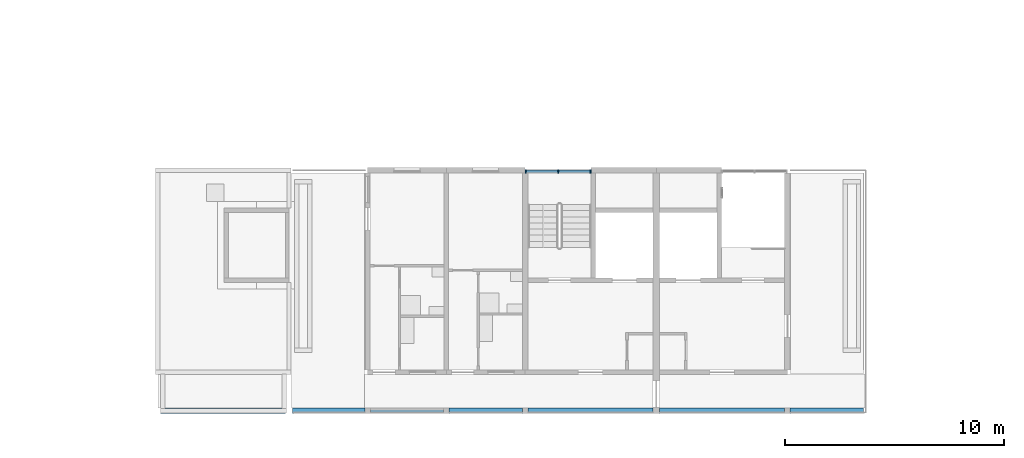
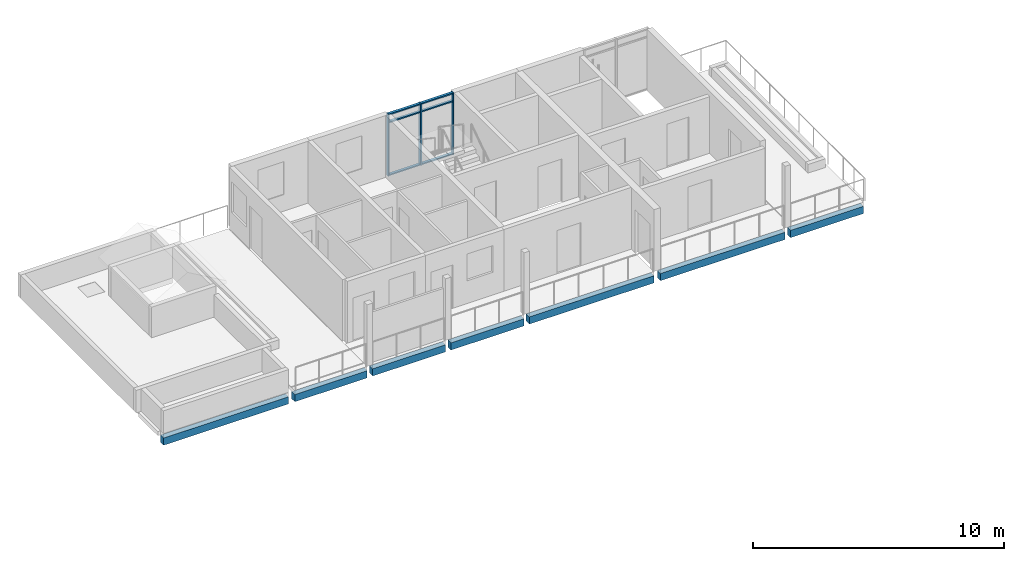
# One storey, part 5 of 41: 9 members, 7 beams, 1 element without a shape of its own.
"""IFC4 building model written with IfcOpenShell, lengths in metres."""

from ifc_helpers import new_model, si_unit, direction, frame, origin, origin_2d, place, context, subcontext, project, spatial, rectangle, extrude, material, material_profile, profile_set, type_object, element, aggregate, save


model = new_model("IFC4")

# Units and contexts
model_context = context("Model", 3, precision=1e-05, world=origin(), true_north=direction((0.0, 1.0)))
body_context = subcontext(model_context, "Body", "Model", "MODEL_VIEW")
ifc_project = project(units=[si_unit("LENGTHUNIT", "METRE"), si_unit("AREAUNIT", "SQUARE_METRE"), si_unit("VOLUMEUNIT", "CUBIC_METRE"), si_unit("PLANEANGLEUNIT", "RADIAN"), si_unit("MASSUNIT", "GRAM", prefix="KILO")], contexts=[model_context])

# Site, building, storey
site_placement = place(None, origin())
site = spatial("IfcSite", under=ifc_project, at=site_placement, CompositionType="ELEMENT")
building_placement = place(site_placement, origin())
building = spatial("IfcBuilding", under=site, at=building_placement, Name="Ridgestep Commons", CompositionType="ELEMENT")
storey_placement = place(building_placement, frame((0.0, 0.0, 39.0)))
storey = spatial("IfcBuildingStorey", under=building, at=storey_placement, Name="L13", CompositionType="ELEMENT", Elevation=39.0)

# Beams
ifc_material_1 = material(Name="Precast concrete C40/50", Category="concrete")
ifc_material_profile_1 = material_profile(ifc_material_1, rectangle(XDim=0.25, YDim=0.35009765625, at=origin_2d()), Name="PC 250x350")
ifc_profile_set_1 = profile_set([ifc_material_profile_1], Name="Precast concrete C40/50")
beam_type = type_object("IfcBeamType", Name="Loggia edge beam 250 x 350", PredefinedType="SPANDREL", material=ifc_profile_set_1)
beam_1_placement = place(storey_placement, frame((73.324951171875, 11.875, -0.375), z_axis=(1.0, 0.0, 0.0), x_axis=(0.0, 1.0, 0.0)))
element("IfcBeam", 1, at=beam_1_placement, inside=storey, type_object=beam_type, Name="Loggia edge beam A4C L13", PredefinedType="SPANDREL", context=body_context, shape_type="SweptSolid", body=[
    extrude(rectangle(XDim=0.25, YDim=0.35009765625, at=origin_2d()), origin(), (0.0, 0.0, 1.0), 5.72509765625),
])
beam_2_placement = place(storey_placement, frame((79.35009765625, 11.875, -0.375), z_axis=(1.0, 0.0, 0.0), x_axis=(0.0, 1.0, 0.0)))
element("IfcBeam", 2, at=beam_2_placement, inside=storey, type_object=beam_type, Name="Loggia edge beam A5T1 L13", PredefinedType="SPANDREL", context=body_context, shape_type="SweptSolid", body=[
    extrude(rectangle(XDim=0.25, YDim=0.35009765625, at=origin_2d()), origin(), (0.0, 0.0, 1.0), 3.324951171875),
])
beam_3_placement = place(storey_placement, frame((82.925048828125, 11.875, -0.375), z_axis=(1.0, 0.0, 0.0), x_axis=(0.0, 1.0, 0.0)))
element("IfcBeam", 3, at=beam_3_placement, inside=storey, type_object=beam_type, Name="Loggia edge beam A5T2 L13", PredefinedType="SPANDREL", context=body_context, shape_type="SweptSolid", body=[
    extrude(rectangle(XDim=0.25, YDim=0.35009765625, at=origin_2d()), origin(), (0.0, 0.0, 1.0), 3.349853515625),
])
beam_4_placement = place(storey_placement, frame((86.52490234375, 11.875, -0.375), z_axis=(1.0, 0.0, 0.0), x_axis=(0.0, 1.0, 0.0)))
element("IfcBeam", 4, at=beam_4_placement, inside=storey, type_object=beam_type, Name="Loggia edge beam A5T3 L13", PredefinedType="SPANDREL", context=body_context, shape_type="SweptSolid", body=[
    extrude(rectangle(XDim=0.25, YDim=0.35009765625, at=origin_2d()), origin(), (0.0, 0.0, 1.0), 3.35009765625),
])
for number, where, z_axis, x_axis, name in (
    (5, (90.125, 11.875, -0.375), (1.0, 0.0, 0.0), (0.0, 1.0, 0.0), "Loggia edge beam A5C L13"),
    (6, (96.14990234375, 11.875, -0.375), (1.0, 0.0, 0.0), (0.0, 1.0, 0.0), "Loggia edge beam A6C L13"),
):
    element("IfcBeam", number, at=place(storey_placement, frame(where, z_axis=z_axis, x_axis=x_axis)), inside=storey, type_object=beam_type, Name=name, PredefinedType="SPANDREL", context=body_context, shape_type="SweptSolid", body=[
        extrude(rectangle(XDim=0.25, YDim=0.35009765625, at=origin_2d()), origin(), (0.0, 0.0, 1.0), 5.72509765625),
    ])
beam_5_placement = place(storey_placement, frame((102.125, 11.875, -0.375), z_axis=(1.0, 0.0, 0.0), x_axis=(0.0, 1.0, 0.0)))
element("IfcBeam", 7, at=beam_5_placement, inside=storey, type_object=beam_type, Name="Loggia edge beam A6T3 L13", PredefinedType="SPANDREL", context=body_context, shape_type="SweptSolid", body=[
    extrude(rectangle(XDim=0.25, YDim=0.35009765625, at=origin_2d()), origin(), (0.0, 0.0, 1.0), 3.35009765625),
])

# Curtain wall, members
ifc_material_2 = material(Name="Aluminium 6063-T6 and glass", Category="aluminium")
curtain_wall_type = type_object("IfcCurtainWallType", Name="Curtain wall stair strip", PredefinedType="NOTDEFINED", material=ifc_material_2)
curtain_wall_placement = place(storey_placement, origin())
curtain_wall = element("IfcCurtainWall", 8, at=curtain_wall_placement, inside=storey, type_object=curtain_wall_type, Name="Curtain wall A5C level 13", PredefinedType="NOTDEFINED")
ifc_material_3 = material(Name="Aluminium 6063-T6", Category="aluminium")
ifc_material_profile_2 = material_profile(ifc_material_3, rectangle(XDim=0.159912109375, YDim=0.06005859375, at=origin_2d()), Name="Mullion 60 x 160")
ifc_profile_set_2 = profile_set([ifc_material_profile_2], Name="Aluminium 6063-T6")
member_type_1 = type_object("IfcMemberType", Name="Mullion 60 x 160", PredefinedType="MULLION", material=ifc_profile_set_2)
member_1_placement = place(storey_placement, frame((90.030029296875, 22.830078125, 0.0), z_axis=(0.0, 0.0, 1.0), x_axis=(0.0, 1.0, 0.0)))
member_1 = element("IfcMember", 9, at=member_1_placement, type_object=member_type_1, Name="CW1 mullion 1", PredefinedType="MULLION", context=body_context, shape_type="SweptSolid", body=[
    extrude(rectangle(XDim=0.159912109375, YDim=0.06005859375, at=origin_2d()), origin(), (0.0, 0.0, 1.0), 3.0),
])
member_2_placement = place(storey_placement, frame((91.512451171875, 22.830078125, 0.0), z_axis=(0.0, 0.0, 1.0), x_axis=(0.0, 1.0, 0.0)))
member_2 = element("IfcMember", 10, at=member_2_placement, type_object=member_type_1, Name="CW1 mullion 2", PredefinedType="MULLION", context=body_context, shape_type="SweptSolid", body=[
    extrude(rectangle(XDim=0.159912109375, YDim=0.06005859375, at=origin_2d()), origin(), (0.0, 0.0, 1.0), 3.0),
])
member_3_placement = place(storey_placement, frame((92.9951171875, 22.830078125, 0.0), z_axis=(0.0, 0.0, 1.0), x_axis=(0.0, 1.0, 0.0)))
member_3 = element("IfcMember", 11, at=member_3_placement, type_object=member_type_1, Name="CW1 mullion 3", PredefinedType="MULLION", context=body_context, shape_type="SweptSolid", body=[
    extrude(rectangle(XDim=0.159912109375, YDim=0.06005859375, at=origin_2d()), origin(), (0.0, 0.0, 1.0), 3.0),
])
ifc_material_4 = material(Name="Aluminium 6063-T6", Category="aluminium")
ifc_material_profile_3 = material_profile(ifc_material_4, rectangle(XDim=0.1201171875, YDim=0.06005859375, at=origin_2d()), Name="Transom 60 x 120")
ifc_profile_set_3 = profile_set([ifc_material_profile_3], Name="Aluminium 6063-T6")
member_type_2 = type_object("IfcMemberType", Name="Transom 60 x 120", PredefinedType="USERDEFINED", material=ifc_profile_set_3)
member_4_placement = place(storey_placement, frame((90.06005859375, 22.830078125, 0.030029296875), z_axis=(1.0, 0.0, 0.0), x_axis=(0.0, 1.0, 0.0)))
member_4 = element("IfcMember", 12, at=member_4_placement, type_object=member_type_2, Name="CW1 transom 1.1", ObjectType="TRANSOM", PredefinedType="USERDEFINED", context=body_context, shape_type="SweptSolid", body=[
    extrude(rectangle(XDim=0.1201171875, YDim=0.06005859375, at=origin_2d()), origin(), (0.0, 0.0, 1.0), 1.42236328125),
])
member_5_placement = place(storey_placement, frame((90.06005859375, 22.830078125, 2.590087890625), z_axis=(1.0, 0.0, 0.0), x_axis=(0.0, 1.0, 0.0)))
member_5 = element("IfcMember", 13, at=member_5_placement, type_object=member_type_2, Name="CW1 transom 1.2", ObjectType="TRANSOM", PredefinedType="USERDEFINED", context=body_context, shape_type="SweptSolid", body=[
    extrude(rectangle(XDim=0.1201171875, YDim=0.06005859375, at=origin_2d()), origin(), (0.0, 0.0, 1.0), 1.42236328125),
])
member_6_placement = place(storey_placement, frame((90.06005859375, 22.830078125, 2.969970703125), z_axis=(1.0, 0.0, 0.0), x_axis=(0.0, 1.0, 0.0)))
member_6 = element("IfcMember", 14, at=member_6_placement, type_object=member_type_2, Name="CW1 transom 1.3", ObjectType="TRANSOM", PredefinedType="USERDEFINED", context=body_context, shape_type="SweptSolid", body=[
    extrude(rectangle(XDim=0.1201171875, YDim=0.06005859375, at=origin_2d()), origin(), (0.0, 0.0, 1.0), 1.42236328125),
])
member_7_placement = place(storey_placement, frame((91.54248046875, 22.830078125, 0.030029296875), z_axis=(1.0, 0.0, 0.0), x_axis=(0.0, 1.0, 0.0)))
member_7 = element("IfcMember", 15, at=member_7_placement, type_object=member_type_2, Name="CW1 transom 2.1", ObjectType="TRANSOM", PredefinedType="USERDEFINED", context=body_context, shape_type="SweptSolid", body=[
    extrude(rectangle(XDim=0.1201171875, YDim=0.06005859375, at=origin_2d()), origin(), (0.0, 0.0, 1.0), 1.422607421875),
])
member_8_placement = place(storey_placement, frame((91.54248046875, 22.830078125, 2.590087890625), z_axis=(1.0, 0.0, 0.0), x_axis=(0.0, 1.0, 0.0)))
member_8 = element("IfcMember", 16, at=member_8_placement, type_object=member_type_2, Name="CW1 transom 2.2", ObjectType="TRANSOM", PredefinedType="USERDEFINED", context=body_context, shape_type="SweptSolid", body=[
    extrude(rectangle(XDim=0.1201171875, YDim=0.06005859375, at=origin_2d()), origin(), (0.0, 0.0, 1.0), 1.422607421875),
])
member_9_placement = place(storey_placement, frame((91.54248046875, 22.830078125, 2.969970703125), z_axis=(1.0, 0.0, 0.0), x_axis=(0.0, 1.0, 0.0)))
member_9 = element("IfcMember", 17, at=member_9_placement, type_object=member_type_2, Name="CW1 transom 2.3", ObjectType="TRANSOM", PredefinedType="USERDEFINED", context=body_context, shape_type="SweptSolid", body=[
    extrude(rectangle(XDim=0.1201171875, YDim=0.06005859375, at=origin_2d()), origin(), (0.0, 0.0, 1.0), 1.422607421875),
])
aggregate(curtain_wall, [member_1, member_2, member_3, member_4, member_5, member_6, member_7, member_8, member_9])

save(model, "model.ifc")
